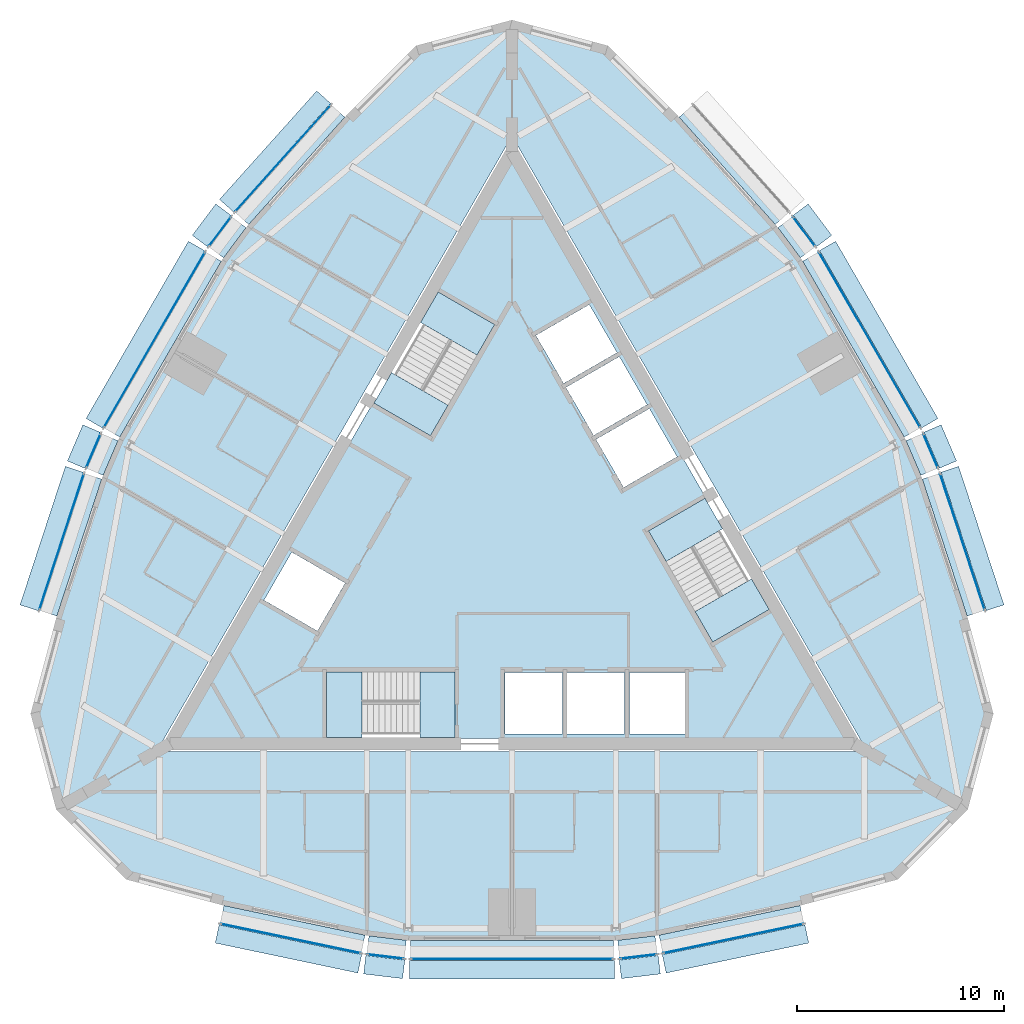
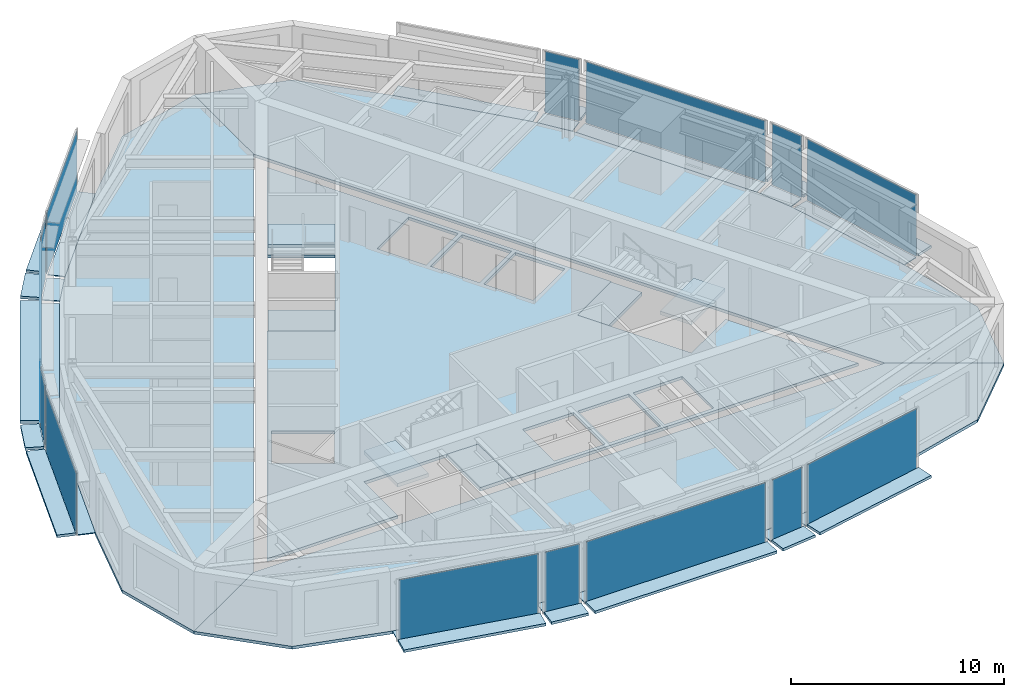
# One storey, part 6 of 12: 43 plates, 10 slabs, 17 elements without a shape of their own.
"""IFC4 building model written with IfcOpenShell, lengths in metres."""

from ifc_helpers import new_model, si_unit, direction, frame, origin, origin_2d, place, context, subcontext, project, spatial, polyline, rectangle, outline, extrude, material, layer, layer_set, type_object, element, aggregate, save


model = new_model("IFC4")

# Units and contexts
model_context = context("Model", 3, precision=1e-05, world=origin(), true_north=direction((0.0, 1.0)))
body_context = subcontext(model_context, "Body", "Model", "MODEL_VIEW")
ifc_project = project(units=[si_unit("LENGTHUNIT", "METRE"), si_unit("AREAUNIT", "SQUARE_METRE"), si_unit("VOLUMEUNIT", "CUBIC_METRE"), si_unit("PLANEANGLEUNIT", "RADIAN"), si_unit("MASSUNIT", "GRAM", prefix="KILO")], contexts=[model_context])

# Site, building, storey
site_placement = place(None, origin())
site = spatial("IfcSite", under=ifc_project, at=site_placement, CompositionType="ELEMENT")
building_placement = place(site_placement, origin())
building = spatial("IfcBuilding", under=site, at=building_placement, Name="Trikona Tower", CompositionType="ELEMENT")
storey_placement = place(building_placement, frame((0.0, 0.0, 246.5)))
storey = spatial("IfcBuildingStorey", under=building, at=storey_placement, Name="L65", CompositionType="ELEMENT", Elevation=246.5)

# Plates
ifc_material_1 = material(Name="Aluminium bar grating", Category="aluminium")
ifc_layer_1 = layer(ifc_material_1, 0.050048828125)
ifc_layer_set_1 = layer_set([ifc_layer_1], Name="Cavity catwalk grating")
plate_type_1 = type_object("IfcPlateType", Name="Cavity catwalk grating", PredefinedType="USERDEFINED", material=ifc_layer_set_1)
plate_1_placement = place(storey_placement, frame((-10.586181640625, -18.466552734375, -0.0498046875), z_axis=(0.0, 0.0, 1.0), x_axis=(0.97865342171, -0.205517590916, 0.0)))
element("IfcPlate", 1, at=plate_1_placement, inside=storey, type_object=plate_type_1, Name="Cavity catwalk L65-00", ObjectType="CATWALK GRATING", PredefinedType="USERDEFINED", context=body_context, shape_type="SweptSolid", body=[
    extrude(rectangle(XDim=6.95263671875, YDim=0.840087890625, at=origin_2d()), origin(), (0.0, 0.0, 1.0), 0.050048828125),
])
plate_2_placement = place(storey_placement, frame((-6.050048828125, -19.327392578125, -0.0498046875), z_axis=(0.0, 0.0, 1.0), x_axis=(0.992876783199, -0.11914568135, 0.0)))
element("IfcPlate", 2, at=plate_2_placement, inside=storey, type_object=plate_type_1, Name="Cavity catwalk L65-01", ObjectType="CATWALK GRATING", PredefinedType="USERDEFINED", context=body_context, shape_type="SweptSolid", body=[
    extrude(rectangle(XDim=1.814208984375, YDim=0.840087890625, at=origin_2d()), origin(), (0.0, 0.0, 1.0), 0.050048828125),
])
plate_3_placement = place(storey_placement, frame((0.0, -19.450439453125, -0.0498046875), z_axis=(0.0, 0.0, 1.0), x_axis=(1.0, 0.0, 0.0)))
element("IfcPlate", 3, at=plate_3_placement, inside=storey, type_object=plate_type_1, Name="Cavity catwalk L65-02", ObjectType="CATWALK GRATING", PredefinedType="USERDEFINED", context=body_context, shape_type="SweptSolid", body=[
    extrude(rectangle(XDim=9.800048828125, YDim=0.840087890625, at=origin_2d()), origin(), (0.0, 0.0, 1.0), 0.050048828125),
])
plate_4_placement = place(storey_placement, frame((6.050048828125, -19.327392578125, -0.0498046875), z_axis=(0.0, 0.0, 1.0), x_axis=(0.992876783199, 0.11914568135, 0.0)))
element("IfcPlate", 4, at=plate_4_placement, inside=storey, type_object=plate_type_1, Name="Cavity catwalk L65-03", ObjectType="CATWALK GRATING", PredefinedType="USERDEFINED", context=body_context, shape_type="SweptSolid", body=[
    extrude(rectangle(XDim=1.814208984375, YDim=0.840087890625, at=origin_2d()), origin(), (0.0, 0.0, 1.0), 0.050048828125),
])
for number, where, z_axis, x_axis, name in (
    (5, (10.586181640625, -18.466552734375, -0.0498046875), (0.0, 0.0, 1.0), (0.97865342171, 0.205517590916, 0.0), "Cavity catwalk L65-04"),
    (6, (21.28564453125, 0.065185546875, -0.0498046875), (0.0, 0.0, 1.0), (-0.311336621861, 0.950299693722, 0.0), "Cavity catwalk L65-09"),
):
    element("IfcPlate", number, at=place(storey_placement, frame(where, z_axis=z_axis, x_axis=x_axis)), inside=storey, type_object=plate_type_1, Name=name, ObjectType="CATWALK GRATING", PredefinedType="USERDEFINED", context=body_context, shape_type="SweptSolid", body=[
        extrude(rectangle(XDim=6.95263671875, YDim=0.840087890625, at=origin_2d()), origin(), (0.0, 0.0, 1.0), 0.050048828125),
    ])
plate_5_placement = place(storey_placement, frame((19.76318359375, 4.42431640625, -0.0498046875), z_axis=(0.0, 0.0, 1.0), x_axis=(-0.39328408933, 0.919417002823, 0.0)))
element("IfcPlate", 7, at=plate_5_placement, inside=storey, type_object=plate_type_1, Name="Cavity catwalk L65-10", ObjectType="CATWALK GRATING", PredefinedType="USERDEFINED", context=body_context, shape_type="SweptSolid", body=[
    extrude(rectangle(XDim=1.814208984375, YDim=0.840087890625, at=origin_2d()), origin(), (0.0, 0.0, 1.0), 0.050048828125),
])
plate_6_placement = place(storey_placement, frame((16.844482421875, 9.72509765625, -0.0498046875), z_axis=(0.0, 0.0, 1.0), x_axis=(-0.4999984885, 0.866026276448, 0.0)))
element("IfcPlate", 8, at=plate_6_placement, inside=storey, type_object=plate_type_1, Name="Cavity catwalk L65-11", ObjectType="CATWALK GRATING", PredefinedType="USERDEFINED", context=body_context, shape_type="SweptSolid", body=[
    extrude(rectangle(XDim=9.800048828125, YDim=0.840087890625, at=origin_2d()), origin(), (0.0, 0.0, 1.0), 0.050048828125),
])
plate_7_placement = place(storey_placement, frame((13.713134765625, 14.9033203125, -0.0498046875), z_axis=(0.0, 0.0, 1.0), x_axis=(-0.599618784879, 0.800285769472, 0.0)))
element("IfcPlate", 9, at=plate_7_placement, inside=storey, type_object=plate_type_1, Name="Cavity catwalk L65-12", ObjectType="CATWALK GRATING", PredefinedType="USERDEFINED", context=body_context, shape_type="SweptSolid", body=[
    extrude(rectangle(XDim=1.814208984375, YDim=0.840087890625, at=origin_2d()), origin(), (0.0, 0.0, 1.0), 0.050048828125),
])
for number, where, z_axis, x_axis, name in (
    (10, (10.699462890625, 18.4013671875, -0.0498046875), (0.0, 0.0, 1.0), (-0.667311465398, 0.744778764566, 0.0), "Cavity catwalk L65-13"),
    (11, (-10.699462890625, 18.4013671875, -0.0498046875), (0.0, 0.0, 1.0), (-0.667311465398, -0.744778764566, 0.0), "Cavity catwalk L65-18"),
):
    element("IfcPlate", number, at=place(storey_placement, frame(where, z_axis=z_axis, x_axis=x_axis)), inside=storey, type_object=plate_type_1, Name=name, ObjectType="CATWALK GRATING", PredefinedType="USERDEFINED", context=body_context, shape_type="SweptSolid", body=[
        extrude(rectangle(XDim=6.95263671875, YDim=0.840087890625, at=origin_2d()), origin(), (0.0, 0.0, 1.0), 0.050048828125),
    ])
plate_8_placement = place(storey_placement, frame((-13.713134765625, 14.9033203125, -0.0498046875), z_axis=(0.0, 0.0, 1.0), x_axis=(-0.599618784879, -0.800285769472, 0.0)))
element("IfcPlate", 12, at=plate_8_placement, inside=storey, type_object=plate_type_1, Name="Cavity catwalk L65-19", ObjectType="CATWALK GRATING", PredefinedType="USERDEFINED", context=body_context, shape_type="SweptSolid", body=[
    extrude(rectangle(XDim=1.814208984375, YDim=0.840087890625, at=origin_2d()), origin(), (0.0, 0.0, 1.0), 0.050048828125),
])
plate_9_placement = place(storey_placement, frame((-16.844482421875, 9.72509765625, -0.0498046875), z_axis=(0.0, 0.0, 1.0), x_axis=(-0.4999984885, -0.866026276448, 0.0)))
element("IfcPlate", 13, at=plate_9_placement, inside=storey, type_object=plate_type_1, Name="Cavity catwalk L65-20", ObjectType="CATWALK GRATING", PredefinedType="USERDEFINED", context=body_context, shape_type="SweptSolid", body=[
    extrude(rectangle(XDim=9.800048828125, YDim=0.840087890625, at=origin_2d()), origin(), (0.0, 0.0, 1.0), 0.050048828125),
])
plate_10_placement = place(storey_placement, frame((-19.76318359375, 4.42431640625, -0.0498046875), z_axis=(0.0, 0.0, 1.0), x_axis=(-0.39328408933, -0.919417002823, 0.0)))
element("IfcPlate", 14, at=plate_10_placement, inside=storey, type_object=plate_type_1, Name="Cavity catwalk L65-21", ObjectType="CATWALK GRATING", PredefinedType="USERDEFINED", context=body_context, shape_type="SweptSolid", body=[
    extrude(rectangle(XDim=1.814208984375, YDim=0.840087890625, at=origin_2d()), origin(), (0.0, 0.0, 1.0), 0.050048828125),
])
plate_11_placement = place(storey_placement, frame((-21.28564453125, 0.065185546875, -0.0498046875), z_axis=(0.0, 0.0, 1.0), x_axis=(-0.311336621861, -0.950299693722, 0.0)))
element("IfcPlate", 15, at=plate_11_placement, inside=storey, type_object=plate_type_1, Name="Cavity catwalk L65-22", ObjectType="CATWALK GRATING", PredefinedType="USERDEFINED", context=body_context, shape_type="SweptSolid", body=[
    extrude(rectangle(XDim=6.95263671875, YDim=0.840087890625, at=origin_2d()), origin(), (0.0, 0.0, 1.0), 0.050048828125),
])

# Slabs
ifc_material_2 = material(Name="Concrete f'c 5000 psi lightweight on composite steel deck", Category="concrete")
ifc_layer_2 = layer(ifc_material_2, 0.1650390625)
ifc_layer_set_2 = layer_set([ifc_layer_2], Name="Composite floor slab 165")
slab_type_1 = type_object("IfcSlabType", Name="Composite floor slab 165", PredefinedType="FLOOR", material=ifc_layer_set_2)
slab_1_placement = place(storey_placement, frame((0.0, 0.0, -0.1650390625)))
element("IfcSlab", 16, at=slab_1_placement, inside=storey, type_object=slab_type_1, Name="Floor slab L65 core", PredefinedType="FLOOR", context=body_context, shape_type="SweptSolid", body=[
    extrude(outline(polyline([(-16.06689453125, -9.2763671875), (-8.949951171875, -9.2763671875), (-8.949951171875, -6.076416015625), (-2.75, -6.076416015625), (-2.75, -9.2763671875), (16.06689453125, -9.2763671875), (12.45849609375, -3.026123046875), (9.687255859375, -4.626220703125), (6.587158203125, 0.7431640625), (9.3583984375, 2.34326171875), (0.0, 18.552490234375), (-3.6083984375, 12.302490234375), (-0.837158203125, 10.702392578125), (-3.937255859375, 5.3330078125), (-6.70849609375, 6.93310546875), (-16.06689453125, -9.2763671875)]), holes=[polyline([(5.659912109375, -6.086181640625), (5.659912109375, -9.06640625), (8.340087890625, -9.06640625), (8.340087890625, -6.086181640625), (5.659912109375, -6.086181640625)]), polyline([(6.631591796875, 6.646240234375), (4.05078125, 5.15625), (5.390869140625, 2.835205078125), (7.9716796875, 4.3251953125), (6.631591796875, 6.646240234375)]), polyline([(6.521484375, 6.8369140625), (5.181640625, 9.15771484375), (2.600830078125, 7.667724609375), (3.94091796875, 5.3466796875), (6.521484375, 6.8369140625)]), polyline([(2.659912109375, -9.06640625), (5.43994140625, -9.06640625), (5.43994140625, -6.086181640625), (2.659912109375, -6.086181640625), (2.659912109375, -9.06640625)]), polyline([(2.490966796875, 7.858154296875), (5.071533203125, 9.34814453125), (3.731689453125, 11.669189453125), (1.15087890625, 10.17919921875), (2.490966796875, 7.858154296875)]), polyline([(2.43994140625, -9.06640625), (2.43994140625, -6.086181640625), (-0.340087890625, -6.086181640625), (-0.340087890625, -9.06640625), (2.43994140625, -9.06640625)]), polyline([(-11.9716796875, -2.602783203125), (-9.390869140625, -4.093017578125), (-8.05078125, -1.77197265625), (-10.631591796875, -0.281982421875), (-11.9716796875, -2.602783203125)])]), origin(), (0.0, 0.0, 1.0), 0.1650390625),
])
slab_2_placement = place(storey_placement, frame((0.0, 0.0, -0.1650390625)))
element("IfcSlab", 17, at=slab_2_placement, inside=storey, type_object=slab_type_1, Name="Floor slab L65 south", PredefinedType="FLOOR", context=body_context, shape_type="SweptSolid", body=[
    extrude(outline(polyline([(18.618896484375, -16.0830078125), (22.0, -12.70166015625), (17.1494140625, -9.9013671875), (-17.1494140625, -9.9013671875), (-22.0, -12.70166015625), (-18.618896484375, -16.0830078125), (-14.0, -17.320556640625), (-7.0, -18.79052734375), (-5.0, -19.030517578125), (5.0, -19.030517578125), (7.0, -18.79052734375), (14.0, -17.320556640625), (18.618896484375, -16.0830078125)])), origin(), (0.0, 0.0, 1.0), 0.1650390625),
])
slab_3_placement = place(storey_placement, frame((0.0, 0.0, -0.1650390625)))
element("IfcSlab", 18, at=slab_3_placement, inside=storey, type_object=slab_type_1, Name="Floor slab L65 north-east", PredefinedType="FLOOR", context=body_context, shape_type="SweptSolid", body=[
    extrude(outline(polyline([(4.618896484375, 24.165771484375), (0.0, 25.4033203125), (0.0, 19.802490234375), (17.1494140625, -9.9013671875), (22.0, -12.70166015625), (23.237548828125, -8.0830078125), (22.0, -3.464111328125), (19.773193359375, 3.3330078125), (18.98095703125, 5.18505859375), (13.98095703125, 13.845458984375), (12.773193359375, 15.45751953125), (8.0, 20.78466796875), (4.618896484375, 24.165771484375)])), origin(), (0.0, 0.0, 1.0), 0.1650390625),
])
slab_4_placement = place(storey_placement, frame((0.0, 0.0, -0.1650390625)))
element("IfcSlab", 19, at=slab_4_placement, inside=storey, type_object=slab_type_1, Name="Floor slab L65 north-west", PredefinedType="FLOOR", context=body_context, shape_type="SweptSolid", body=[
    extrude(outline(polyline([(0.0, 19.802490234375), (0.0, 25.4033203125), (-4.618896484375, 24.165771484375), (-8.0, 20.78466796875), (-12.773193359375, 15.45751953125), (-13.98095703125, 13.845458984375), (-18.98095703125, 5.18505859375), (-19.773193359375, 3.3330078125), (-22.0, -3.464111328125), (-23.237548828125, -8.0830078125), (-22.0, -12.70166015625), (-17.1494140625, -9.9013671875), (0.0, 19.802490234375)])), origin(), (0.0, 0.0, 1.0), 0.1650390625),
])

# Curtain wall, plate
ifc_material_3 = material(Name="Aluminium curtain wall system", Category="aluminium")
curtain_wall_type = type_object("IfcCurtainWallType", Name="Curtain wall DS3", PredefinedType="NOTDEFINED", material=ifc_material_3)
curtain_wall_1_placement = place(storey_placement, origin())
curtain_wall_1 = element("IfcCurtainWall", 20, at=curtain_wall_1_placement, inside=storey, type_object=curtain_wall_type, Name="Curtain wall DS3 L65", PredefinedType="NOTDEFINED")
ifc_material_4 = material(Name="Laminated clear glass", Category="glass")
ifc_layer_3 = layer(ifc_material_4, 0.028076171875)
ifc_layer_set_3 = layer_set([ifc_layer_3], Name="Glass panel DS3")
plate_type_2 = type_object("IfcPlateType", Name="Glass panel DS3", PredefinedType="CURTAIN_PANEL", material=ifc_layer_set_3)
plate_12_placement = place(storey_placement, frame((-10.68505859375, -18.936279296875, 0.0), z_axis=(0.0, 0.0, 1.0), x_axis=(0.978651351583, -0.205527448396, 0.0)))
plate_12 = element("IfcPlate", 21, at=plate_12_placement, type_object=plate_type_2, Name="CW-DS3 panel 1.1", PredefinedType="CURTAIN_PANEL", context=body_context, shape_type="SweptSolid", body=[
    extrude(rectangle(XDim=6.892578125, YDim=0.028076171875, at=origin_2d()), origin(), (0.0, 0.0, 1.0), 3.530029296875),
])
aggregate(curtain_wall_1, [plate_12])

curtain_wall_2_placement = place(storey_placement, origin())
curtain_wall_2 = element("IfcCurtainWall", 22, at=curtain_wall_2_placement, inside=storey, type_object=curtain_wall_type, Name="Curtain wall DS3 L65", PredefinedType="NOTDEFINED")
plate_13_placement = place(storey_placement, frame((-6.107177734375, -19.803955078125, 0.0), z_axis=(0.0, 0.0, 1.0), x_axis=(0.992877338043, -0.119141057581, 0.0)))
plate_13 = element("IfcPlate", 23, at=plate_13_placement, type_object=plate_type_2, Name="CW-DS3 panel 1.1", PredefinedType="CURTAIN_PANEL", context=body_context, shape_type="SweptSolid", body=[
    extrude(rectangle(XDim=1.75439453125, YDim=0.028076171875, at=origin_2d()), origin(), (0.0, 0.0, 1.0), 3.530029296875),
])
aggregate(curtain_wall_2, [plate_13])

curtain_wall_3_placement = place(storey_placement, origin())
curtain_wall_3 = element("IfcCurtainWall", 24, at=curtain_wall_3_placement, inside=storey, type_object=curtain_wall_type, Name="Curtain wall DS3 L65", PredefinedType="NOTDEFINED")
plate_14_placement = place(storey_placement, frame((0.0, -19.930419921875, 0.0), z_axis=(0.0, 0.0, 1.0), x_axis=(1.0, 0.0, 0.0)))
plate_14 = element("IfcPlate", 25, at=plate_14_placement, type_object=plate_type_2, Name="CW-DS3 panel 1.1", PredefinedType="CURTAIN_PANEL", context=body_context, shape_type="SweptSolid", body=[
    extrude(rectangle(XDim=9.739990234375, YDim=0.028076171875, at=origin_2d()), origin(), (0.0, 0.0, 1.0), 3.530029296875),
])
aggregate(curtain_wall_3, [plate_14])

curtain_wall_4_placement = place(storey_placement, origin())
curtain_wall_4 = element("IfcCurtainWall", 26, at=curtain_wall_4_placement, inside=storey, type_object=curtain_wall_type, Name="Curtain wall DS3 L65", PredefinedType="NOTDEFINED")
plate_15_placement = place(storey_placement, frame((6.107177734375, -19.803955078125, 0.0), z_axis=(0.0, 0.0, 1.0), x_axis=(0.992877338043, 0.119141057581, 0.0)))
plate_15 = element("IfcPlate", 27, at=plate_15_placement, type_object=plate_type_2, Name="CW-DS3 panel 1.1", PredefinedType="CURTAIN_PANEL", context=body_context, shape_type="SweptSolid", body=[
    extrude(rectangle(XDim=1.75439453125, YDim=0.028076171875, at=origin_2d()), origin(), (0.0, 0.0, 1.0), 3.530029296875),
])
aggregate(curtain_wall_4, [plate_15])

curtain_wall_5_placement = place(storey_placement, origin())
curtain_wall_5 = element("IfcCurtainWall", 28, at=curtain_wall_5_placement, inside=storey, type_object=curtain_wall_type, Name="Curtain wall DS3 L65", PredefinedType="NOTDEFINED")
plate_16_placement = place(storey_placement, frame((10.68505859375, -18.936279296875, 0.0), z_axis=(0.0, 0.0, 1.0), x_axis=(0.978651351583, 0.205527448396, 0.0)))
plate_16 = element("IfcPlate", 29, at=plate_16_placement, type_object=plate_type_2, Name="CW-DS3 panel 1.1", PredefinedType="CURTAIN_PANEL", context=body_context, shape_type="SweptSolid", body=[
    extrude(rectangle(XDim=6.892578125, YDim=0.028076171875, at=origin_2d()), origin(), (0.0, 0.0, 1.0), 3.530029296875),
])
aggregate(curtain_wall_5, [plate_16])

curtain_wall_6_placement = place(storey_placement, origin())
curtain_wall_6 = element("IfcCurtainWall", 30, at=curtain_wall_6_placement, inside=storey, type_object=curtain_wall_type, Name="Curtain wall DS3 L65", PredefinedType="NOTDEFINED")
plate_17_placement = place(storey_placement, frame((21.74169921875, 0.214599609375, 0.0), z_axis=(0.0, 0.0, 1.0), x_axis=(-0.311343553515, 0.95029742275, 0.0)))
plate_17 = element("IfcPlate", 31, at=plate_17_placement, type_object=plate_type_2, Name="CW-DS3 panel 1.1", PredefinedType="CURTAIN_PANEL", context=body_context, shape_type="SweptSolid", body=[
    extrude(rectangle(XDim=6.892822265625, YDim=0.028076171875, at=origin_2d()), origin(), (0.0, 0.0, 1.0), 3.530029296875),
])
aggregate(curtain_wall_6, [plate_17])

curtain_wall_7_placement = place(storey_placement, origin())
curtain_wall_7 = element("IfcCurtainWall", 32, at=curtain_wall_7_placement, inside=storey, type_object=curtain_wall_type, Name="Curtain wall DS3 L65", PredefinedType="NOTDEFINED")
plate_18_placement = place(storey_placement, frame((20.20458984375, 4.613037109375, 0.0), z_axis=(0.0, 0.0, 1.0), x_axis=(-0.393275726143, 0.919420580163, 0.0)))
plate_18 = element("IfcPlate", 33, at=plate_18_placement, type_object=plate_type_2, Name="CW-DS3 panel 1.1", PredefinedType="CURTAIN_PANEL", context=body_context, shape_type="SweptSolid", body=[
    extrude(rectangle(XDim=1.75439453125, YDim=0.028076171875, at=origin_2d()), origin(), (0.0, 0.0, 1.0), 3.530029296875),
])
aggregate(curtain_wall_7, [plate_18])

curtain_wall_8_placement = place(storey_placement, origin())
curtain_wall_8 = element("IfcCurtainWall", 34, at=curtain_wall_8_placement, inside=storey, type_object=curtain_wall_type, Name="Curtain wall DS3 L65", PredefinedType="NOTDEFINED")
plate_19_placement = place(storey_placement, frame((17.26025390625, 9.96533203125, 0.0), z_axis=(0.0, 0.0, 1.0), x_axis=(-0.500001358187, 0.866024619633, 0.0)))
plate_19 = element("IfcPlate", 35, at=plate_19_placement, type_object=plate_type_2, Name="CW-DS3 panel 1.1", PredefinedType="CURTAIN_PANEL", context=body_context, shape_type="SweptSolid", body=[
    extrude(rectangle(XDim=9.739990234375, YDim=0.028076171875, at=origin_2d()), origin(), (0.0, 0.0, 1.0), 3.530029296875),
])
aggregate(curtain_wall_8, [plate_19])

curtain_wall_9_placement = place(storey_placement, origin())
curtain_wall_9 = element("IfcCurtainWall", 36, at=curtain_wall_9_placement, inside=storey, type_object=curtain_wall_type, Name="Curtain wall DS3 L65", PredefinedType="NOTDEFINED")
plate_20_placement = place(storey_placement, frame((14.09716796875, 15.191162109375, 0.0), z_axis=(0.0, 0.0, 1.0), x_axis=(-0.599653634435, 0.800259657055, 0.0)))
plate_20 = element("IfcPlate", 37, at=plate_20_placement, type_object=plate_type_2, Name="CW-DS3 panel 1.1", PredefinedType="CURTAIN_PANEL", context=body_context, shape_type="SweptSolid", body=[
    extrude(rectangle(XDim=1.754150390625, YDim=0.028076171875, at=origin_2d()), origin(), (0.0, 0.0, 1.0), 3.530029296875),
])
aggregate(curtain_wall_9, [plate_20])

curtain_wall_10_placement = place(storey_placement, origin())
curtain_wall_10 = element("IfcCurtainWall", 38, at=curtain_wall_10_placement, inside=storey, type_object=curtain_wall_type, Name="Curtain wall DS3 L65", PredefinedType="NOTDEFINED")
plate_21_placement = place(storey_placement, frame((-11.056884765625, 18.7216796875, 0.0), z_axis=(0.0, 0.0, 1.0), x_axis=(-0.667319643748, -0.744771436797, 0.0)))
plate_21 = element("IfcPlate", 39, at=plate_21_placement, type_object=plate_type_2, Name="CW-DS3 panel 1.1", PredefinedType="CURTAIN_PANEL", context=body_context, shape_type="SweptSolid", body=[
    extrude(rectangle(XDim=6.892822265625, YDim=0.028076171875, at=origin_2d()), origin(), (0.0, 0.0, 1.0), 3.530029296875),
])
aggregate(curtain_wall_10, [plate_21])

curtain_wall_11_placement = place(storey_placement, origin())
curtain_wall_11 = element("IfcCurtainWall", 40, at=curtain_wall_11_placement, inside=storey, type_object=curtain_wall_type, Name="Curtain wall DS3 L65", PredefinedType="NOTDEFINED")
plate_22_placement = place(storey_placement, frame((-14.09716796875, 15.191162109375, 0.0), z_axis=(0.0, 0.0, 1.0), x_axis=(-0.599653634435, -0.800259657055, 0.0)))
plate_22 = element("IfcPlate", 41, at=plate_22_placement, type_object=plate_type_2, Name="CW-DS3 panel 1.1", PredefinedType="CURTAIN_PANEL", context=body_context, shape_type="SweptSolid", body=[
    extrude(rectangle(XDim=1.754150390625, YDim=0.028076171875, at=origin_2d()), origin(), (0.0, 0.0, 1.0), 3.530029296875),
])
aggregate(curtain_wall_11, [plate_22])

curtain_wall_12_placement = place(storey_placement, origin())
curtain_wall_12 = element("IfcCurtainWall", 42, at=curtain_wall_12_placement, inside=storey, type_object=curtain_wall_type, Name="Curtain wall DS3 L65", PredefinedType="NOTDEFINED")
plate_23_placement = place(storey_placement, frame((-17.26025390625, 9.96533203125, 0.0), z_axis=(0.0, 0.0, 1.0), x_axis=(-0.500001358187, -0.866024619633, 0.0)))
plate_23 = element("IfcPlate", 43, at=plate_23_placement, type_object=plate_type_2, Name="CW-DS3 panel 1.1", PredefinedType="CURTAIN_PANEL", context=body_context, shape_type="SweptSolid", body=[
    extrude(rectangle(XDim=9.739990234375, YDim=0.028076171875, at=origin_2d()), origin(), (0.0, 0.0, 1.0), 3.530029296875),
])
aggregate(curtain_wall_12, [plate_23])

curtain_wall_13_placement = place(storey_placement, origin())
curtain_wall_13 = element("IfcCurtainWall", 44, at=curtain_wall_13_placement, inside=storey, type_object=curtain_wall_type, Name="Curtain wall DS3 L65", PredefinedType="NOTDEFINED")
plate_24_placement = place(storey_placement, frame((-20.20458984375, 4.613037109375, 0.0), z_axis=(0.0, 0.0, 1.0), x_axis=(-0.393275726143, -0.919420580163, 0.0)))
plate_24 = element("IfcPlate", 45, at=plate_24_placement, type_object=plate_type_2, Name="CW-DS3 panel 1.1", PredefinedType="CURTAIN_PANEL", context=body_context, shape_type="SweptSolid", body=[
    extrude(rectangle(XDim=1.75439453125, YDim=0.028076171875, at=origin_2d()), origin(), (0.0, 0.0, 1.0), 3.530029296875),
])
aggregate(curtain_wall_13, [plate_24])

curtain_wall_14_placement = place(storey_placement, origin())
curtain_wall_14 = element("IfcCurtainWall", 46, at=curtain_wall_14_placement, inside=storey, type_object=curtain_wall_type, Name="Curtain wall DS3 L65", PredefinedType="NOTDEFINED")
plate_25_placement = place(storey_placement, frame((-21.74169921875, 0.214599609375, 0.0), z_axis=(0.0, 0.0, 1.0), x_axis=(-0.311343553515, -0.95029742275, 0.0)))
plate_25 = element("IfcPlate", 47, at=plate_25_placement, type_object=plate_type_2, Name="CW-DS3 panel 1.1", PredefinedType="CURTAIN_PANEL", context=body_context, shape_type="SweptSolid", body=[
    extrude(rectangle(XDim=6.892822265625, YDim=0.028076171875, at=origin_2d()), origin(), (0.0, 0.0, 1.0), 3.530029296875),
])
aggregate(curtain_wall_14, [plate_25])

# Plates
ifc_material_5 = material(Name="Aluminium plate fin, pale anodised, on stainless steel outriggers", Category="steel")
ifc_layer_4 = layer(ifc_material_5, 0.14990234375)
ifc_layer_set_4 = layer_set([ifc_layer_4], Name="Outer skin fin 900")
plate_type_3 = type_object("IfcPlateType", Name="Outer skin fin 900", PredefinedType="USERDEFINED", material=ifc_layer_set_4)
plate_26_placement = place(storey_placement, frame((-10.789794921875, -19.435302734375, 0.0), z_axis=(0.0, 0.0, 1.0), x_axis=(0.97865342171, -0.205517590916, 0.0)))
element("IfcPlate", 48, at=plate_26_placement, inside=storey, type_object=plate_type_3, Name="Outer skin fin L65-00", ObjectType="FIN", PredefinedType="USERDEFINED", context=body_context, shape_type="SweptSolid", body=[
    extrude(rectangle(XDim=7.03271484375, YDim=0.89990234375, at=origin_2d()), origin(), (0.0, 0.0, 1.0), 0.14990234375),
])
plate_27_placement = place(storey_placement, frame((-6.16796875, -20.310546875, 0.0), z_axis=(0.0, 0.0, 1.0), x_axis=(0.992876783199, -0.11914568135, 0.0)))
element("IfcPlate", 49, at=plate_27_placement, inside=storey, type_object=plate_type_3, Name="Outer skin fin L65-01", ObjectType="FIN", PredefinedType="USERDEFINED", context=body_context, shape_type="SweptSolid", body=[
    extrude(rectangle(XDim=1.894287109375, YDim=0.89990234375, at=origin_2d()), origin(), (0.0, 0.0, 1.0), 0.14990234375),
])
plate_28_placement = place(storey_placement, frame((0.0, -20.4404296875, 0.0), z_axis=(0.0, 0.0, 1.0), x_axis=(1.0, 0.0, 0.0)))
element("IfcPlate", 50, at=plate_28_placement, inside=storey, type_object=plate_type_3, Name="Outer skin fin L65-02", ObjectType="FIN", PredefinedType="USERDEFINED", context=body_context, shape_type="SweptSolid", body=[
    extrude(rectangle(XDim=9.8798828125, YDim=0.89990234375, at=origin_2d()), origin(), (0.0, 0.0, 1.0), 0.14990234375),
])
plate_29_placement = place(storey_placement, frame((6.16796875, -20.310546875, 0.0), z_axis=(0.0, 0.0, 1.0), x_axis=(0.992876783199, 0.11914568135, 0.0)))
element("IfcPlate", 51, at=plate_29_placement, inside=storey, type_object=plate_type_3, Name="Outer skin fin L65-03", ObjectType="FIN", PredefinedType="USERDEFINED", context=body_context, shape_type="SweptSolid", body=[
    extrude(rectangle(XDim=1.894287109375, YDim=0.89990234375, at=origin_2d()), origin(), (0.0, 0.0, 1.0), 0.14990234375),
])
for number, where, z_axis, x_axis, name in (
    (52, (10.789794921875, -19.435302734375, 0.0), (0.0, 0.0, 1.0), (0.97865342171, 0.205517590916, 0.0), "Outer skin fin L65-04"),
    (53, (22.2265625, 0.37353515625, 0.0), (0.0, 0.0, 1.0), (-0.311336621861, 0.950299693722, 0.0), "Outer skin fin L65-09"),
):
    element("IfcPlate", number, at=place(storey_placement, frame(where, z_axis=z_axis, x_axis=x_axis)), inside=storey, type_object=plate_type_3, Name=name, ObjectType="FIN", PredefinedType="USERDEFINED", context=body_context, shape_type="SweptSolid", body=[
        extrude(rectangle(XDim=7.03271484375, YDim=0.89990234375, at=origin_2d()), origin(), (0.0, 0.0, 1.0), 0.14990234375),
    ])
plate_30_placement = place(storey_placement, frame((20.67333984375, 4.813720703125, 0.0), z_axis=(0.0, 0.0, 1.0), x_axis=(-0.39328408933, 0.919417002823, 0.0)))
element("IfcPlate", 54, at=plate_30_placement, inside=storey, type_object=plate_type_3, Name="Outer skin fin L65-10", ObjectType="FIN", PredefinedType="USERDEFINED", context=body_context, shape_type="SweptSolid", body=[
    extrude(rectangle(XDim=1.894287109375, YDim=0.89990234375, at=origin_2d()), origin(), (0.0, 0.0, 1.0), 0.14990234375),
])
plate_31_placement = place(storey_placement, frame((17.701904296875, 10.22021484375, 0.0), z_axis=(0.0, 0.0, 1.0), x_axis=(-0.4999984885, 0.866026276448, 0.0)))
element("IfcPlate", 55, at=plate_31_placement, inside=storey, type_object=plate_type_3, Name="Outer skin fin L65-11", ObjectType="FIN", PredefinedType="USERDEFINED", context=body_context, shape_type="SweptSolid", body=[
    extrude(rectangle(XDim=9.8798828125, YDim=0.89990234375, at=origin_2d()), origin(), (0.0, 0.0, 1.0), 0.14990234375),
])
plate_32_placement = place(storey_placement, frame((14.50537109375, 15.496826171875, 0.0), z_axis=(0.0, 0.0, 1.0), x_axis=(-0.599618784879, 0.800285769472, 0.0)))
element("IfcPlate", 56, at=plate_32_placement, inside=storey, type_object=plate_type_3, Name="Outer skin fin L65-12", ObjectType="FIN", PredefinedType="USERDEFINED", context=body_context, shape_type="SweptSolid", body=[
    extrude(rectangle(XDim=1.894287109375, YDim=0.89990234375, at=origin_2d()), origin(), (0.0, 0.0, 1.0), 0.14990234375),
])
plate_33_placement = place(storey_placement, frame((-11.436767578125, 19.06201171875, 0.0), z_axis=(0.0, 0.0, 1.0), x_axis=(-0.667311465398, -0.744778764566, 0.0)))
element("IfcPlate", 57, at=plate_33_placement, inside=storey, type_object=plate_type_3, Name="Outer skin fin L65-18", ObjectType="FIN", PredefinedType="USERDEFINED", context=body_context, shape_type="SweptSolid", body=[
    extrude(rectangle(XDim=7.03271484375, YDim=0.89990234375, at=origin_2d()), origin(), (0.0, 0.0, 1.0), 0.14990234375),
])
plate_34_placement = place(storey_placement, frame((-14.50537109375, 15.496826171875, 0.0), z_axis=(0.0, 0.0, 1.0), x_axis=(-0.599618784879, -0.800285769472, 0.0)))
element("IfcPlate", 58, at=plate_34_placement, inside=storey, type_object=plate_type_3, Name="Outer skin fin L65-19", ObjectType="FIN", PredefinedType="USERDEFINED", context=body_context, shape_type="SweptSolid", body=[
    extrude(rectangle(XDim=1.894287109375, YDim=0.89990234375, at=origin_2d()), origin(), (0.0, 0.0, 1.0), 0.14990234375),
])
plate_35_placement = place(storey_placement, frame((-17.701904296875, 10.22021484375, 0.0), z_axis=(0.0, 0.0, 1.0), x_axis=(-0.4999984885, -0.866026276448, 0.0)))
element("IfcPlate", 59, at=plate_35_placement, inside=storey, type_object=plate_type_3, Name="Outer skin fin L65-20", ObjectType="FIN", PredefinedType="USERDEFINED", context=body_context, shape_type="SweptSolid", body=[
    extrude(rectangle(XDim=9.8798828125, YDim=0.89990234375, at=origin_2d()), origin(), (0.0, 0.0, 1.0), 0.14990234375),
])
plate_36_placement = place(storey_placement, frame((-20.67333984375, 4.813720703125, 0.0), z_axis=(0.0, 0.0, 1.0), x_axis=(-0.39328408933, -0.919417002823, 0.0)))
element("IfcPlate", 60, at=plate_36_placement, inside=storey, type_object=plate_type_3, Name="Outer skin fin L65-21", ObjectType="FIN", PredefinedType="USERDEFINED", context=body_context, shape_type="SweptSolid", body=[
    extrude(rectangle(XDim=1.894287109375, YDim=0.89990234375, at=origin_2d()), origin(), (0.0, 0.0, 1.0), 0.14990234375),
])
plate_37_placement = place(storey_placement, frame((-22.2265625, 0.37353515625, 0.0), z_axis=(0.0, 0.0, 1.0), x_axis=(-0.311336621861, -0.950299693722, 0.0)))
element("IfcPlate", 61, at=plate_37_placement, inside=storey, type_object=plate_type_3, Name="Outer skin fin L65-22", ObjectType="FIN", PredefinedType="USERDEFINED", context=body_context, shape_type="SweptSolid", body=[
    extrude(rectangle(XDim=7.03271484375, YDim=0.89990234375, at=origin_2d()), origin(), (0.0, 0.0, 1.0), 0.14990234375),
])

# Stair, slabs
ifc_material_6 = material(Name="Concrete f'c 5000 psi", Category="concrete")
stair_type = type_object("IfcStairType", Name="Core stair", PredefinedType="HALF_TURN_STAIR", material=ifc_material_6)
stair_1_placement = place(storey_placement, origin())
stair_1 = element("IfcStair", 62, at=stair_1_placement, inside=storey, type_object=stair_type, Name="Stair A L65", PredefinedType="HALF_TURN_STAIR")
ifc_material_7 = material(Name="Concrete f'c 5000 psi", Category="concrete")
ifc_layer_5 = layer(ifc_material_7, 0.199951171875)
ifc_layer_set_5 = layer_set([ifc_layer_5], Name="Stair landing 200")
slab_type_2 = type_object("IfcSlabType", Name="Stair landing 200", PredefinedType="LANDING", material=ifc_layer_set_5)
slab_5_placement = place(storey_placement, frame((0.0, 0.0, -0.199951171875)))
slab_5 = element("IfcSlab", 63, at=slab_5_placement, type_object=slab_type_2, Name="ST-A landing 1", PredefinedType="LANDING", context=body_context, shape_type="SweptSolid", body=[
    extrude(outline(polyline([(-4.452880859375, -6.076416015625), (-2.75, -6.076416015625), (-2.75, -9.226318359375), (-4.452880859375, -9.226318359375), (-4.452880859375, -6.076416015625)])), origin(), (0.0, 0.0, 1.0), 0.199951171875),
])
slab_6_placement = place(storey_placement, frame((0.0, 0.0, 1.60009765625)))
slab_6 = element("IfcSlab", 64, at=slab_6_placement, type_object=slab_type_2, Name="ST-A landing 2", PredefinedType="LANDING", context=body_context, shape_type="SweptSolid", body=[
    extrude(outline(polyline([(-8.949951171875, -6.076416015625), (-7.2470703125, -6.076416015625), (-7.2470703125, -9.226318359375), (-8.949951171875, -9.226318359375), (-8.949951171875, -6.076416015625)])), origin(), (0.0, 0.0, 1.0), 0.199951171875),
])
aggregate(stair_1, [slab_5, slab_6])

stair_2_placement = place(storey_placement, origin())
stair_2 = element("IfcStair", 65, at=stair_2_placement, inside=storey, type_object=stair_type, Name="Stair B L65", PredefinedType="HALF_TURN_STAIR")
slab_7_placement = place(storey_placement, frame((0.0, 0.0, -0.199951171875)))
slab_7 = element("IfcSlab", 66, at=slab_7_placement, type_object=slab_type_2, Name="ST-B landing 1", PredefinedType="LANDING", context=body_context, shape_type="SweptSolid", body=[
    extrude(outline(polyline([(7.438720703125, -0.731689453125), (6.587158203125, 0.7431640625), (9.315185546875, 2.318115234375), (10.166748046875, 0.84326171875), (7.438720703125, -0.731689453125)])), origin(), (0.0, 0.0, 1.0), 0.199951171875),
])
slab_8_placement = place(storey_placement, frame((0.0, 0.0, 1.60009765625)))
slab_8 = element("IfcSlab", 67, at=slab_8_placement, type_object=slab_type_2, Name="ST-B landing 2", PredefinedType="LANDING", context=body_context, shape_type="SweptSolid", body=[
    extrude(outline(polyline([(9.687255859375, -4.626220703125), (8.835693359375, -3.1513671875), (11.563720703125, -1.576416015625), (12.415283203125, -3.05126953125), (9.687255859375, -4.626220703125)])), origin(), (0.0, 0.0, 1.0), 0.199951171875),
])
aggregate(stair_2, [slab_7, slab_8])

stair_3_placement = place(storey_placement, origin())
stair_3 = element("IfcStair", 68, at=stair_3_placement, inside=storey, type_object=stair_type, Name="Stair C L65", PredefinedType="HALF_TURN_STAIR")
slab_9_placement = place(storey_placement, frame((0.0, 0.0, -0.199951171875)))
slab_9 = element("IfcSlab", 69, at=slab_9_placement, type_object=slab_type_2, Name="ST-C landing 1", PredefinedType="LANDING", context=body_context, shape_type="SweptSolid", body=[
    extrude(outline(polyline([(-3.085693359375, 6.807861328125), (-3.937255859375, 5.3330078125), (-6.665283203125, 6.908203125), (-5.813720703125, 8.3828125), (-3.085693359375, 6.807861328125)])), origin(), (0.0, 0.0, 1.0), 0.199951171875),
])
slab_10_placement = place(storey_placement, frame((0.0, 0.0, 1.60009765625)))
slab_10 = element("IfcSlab", 70, at=slab_10_placement, type_object=slab_type_2, Name="ST-C landing 2", PredefinedType="LANDING", context=body_context, shape_type="SweptSolid", body=[
    extrude(outline(polyline([(-0.837158203125, 10.702392578125), (-1.688720703125, 9.2275390625), (-4.416748046875, 10.802490234375), (-3.565185546875, 12.277587890625), (-0.837158203125, 10.702392578125)])), origin(), (0.0, 0.0, 1.0), 0.199951171875),
])
aggregate(stair_3, [slab_9, slab_10])

save(model, "model.ifc")
